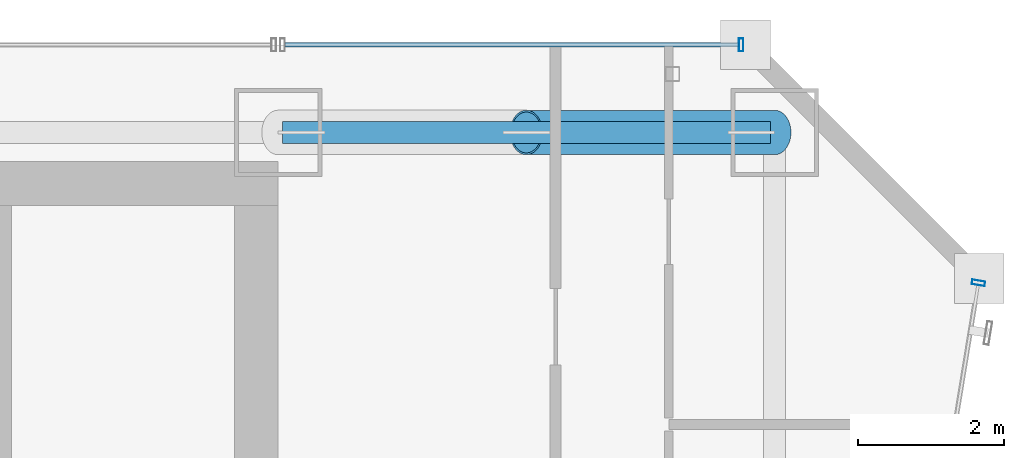
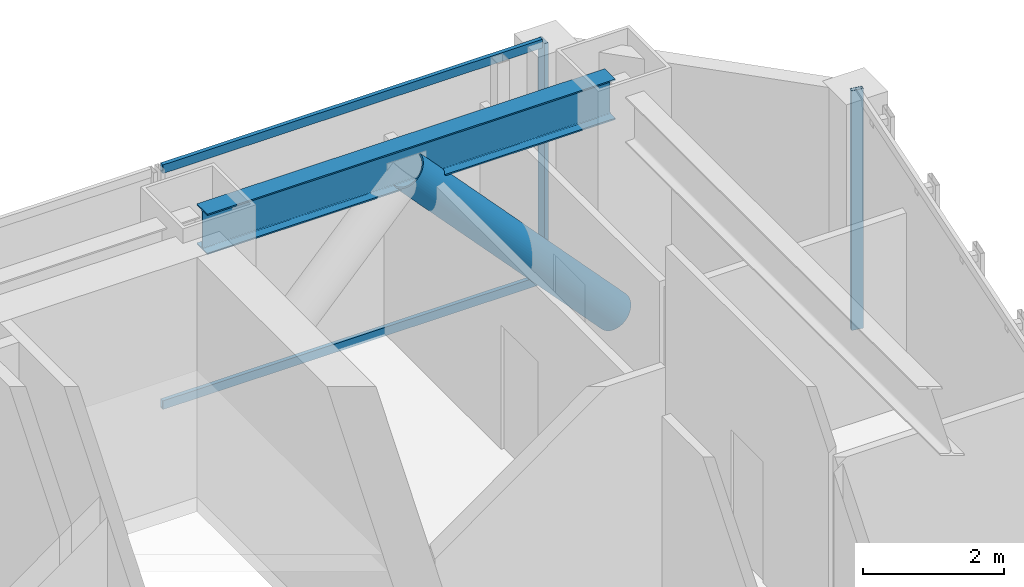
# One storey, part 33 of 47: 5 members, 1 beam, 2 elements without a shape of their own.
"""IFC4 building model written with IfcOpenShell, lengths in metres."""

import ifcopenshell
import ifcopenshell.guid

model = None  # the IFC model being written
_history = None  # IfcOwnerHistory: only IFC2X3 demands one
_inside = {}  # id of a spatial element -> (the spatial element, [elements in it])
_under = {}  # id of a project, library or spatial element -> (it, [spatial elements below it])
_declared = {}  # id of a project -> (the project, [libraries it declares])
_typed = {}  # id of a type object -> (the type object, [elements of that type])
_made_of = {}  # id of a material, layer set ... -> (it, [elements and type objects made of it])


def new_model(schema):
    """Start an empty IFC model of exactly this schema.

    Asked for "IFC4X3", IfcOpenShell would pick the latest addendum, in which some entities
    have other attributes; the version numbers below select the first issue.
    IFC2X3 requires an IfcOwnerHistory on every rooted entity: one is made here for all.
    """
    global model, _history
    if schema == "IFC4X3":
        model = ifcopenshell.file(schema_version=(4, 3, 0, 0))
    else:
        model = ifcopenshell.file(schema=schema)
    _inside.clear()
    _under.clear()
    _declared.clear()
    _typed.clear()
    _made_of.clear()
    _history = None
    if model.schema == "IFC2X3":
        org = make("IfcOrganization", Name="unknown")
        user = make(
            "IfcPersonAndOrganization",
            ThePerson=make("IfcPerson", FamilyName="unknown"),
            TheOrganization=org,
        )
        app = make(
            "IfcApplication",
            ApplicationDeveloper=org,
            Version="unknown",
            ApplicationFullName="unknown",
            ApplicationIdentifier="unknown",
        )
        _history = make(
            "IfcOwnerHistory",
            OwningUser=user,
            OwningApplication=app,
            ChangeAction="ADDED",
            CreationDate=0,
        )
    return model


def make(cls, **values):
    """One entity of the class cls with the attributes given. An attribute that is None is left unset."""
    return model.create_entity(
        cls, **{name: value for name, value in values.items() if value is not None}
    )


def rooted(cls, **values):
    """An entity with a GlobalId (a new one), such as an element, a storey or a relation."""
    return make(cls, GlobalId=ifcopenshell.guid.new(), OwnerHistory=_history, **values)


def si_unit(unit_type, name, prefix=None):
    """IfcSIUnit, for example si_unit("LENGTHUNIT", "METRE", prefix="MILLI")."""
    return make("IfcSIUnit", UnitType=unit_type, Prefix=prefix, Name=name)


def assignment(units):
    """IfcUnitAssignment: the units of a project."""
    return None if units is None else make("IfcUnitAssignment", Units=units)


def point(xyz):
    """IfcCartesianPoint."""
    return None if xyz is None else make("IfcCartesianPoint", Coordinates=xyz)


def direction(xyz):
    """IfcDirection."""
    return None if xyz is None else make("IfcDirection", DirectionRatios=xyz)


def frame(location, z_axis=None, x_axis=None):
    """IfcAxis2Placement3D, a coordinate frame: its origin and axes. An axis left out is left unset."""
    return make(
        "IfcAxis2Placement3D",
        Location=point(location),
        Axis=direction(z_axis),
        RefDirection=direction(x_axis),
    )


def frame_2d(location, x_axis=None):
    """IfcAxis2Placement2D, a coordinate frame in the plane: its origin and x axis."""
    return make(
        "IfcAxis2Placement2D", Location=point(location), RefDirection=direction(x_axis)
    )


def origin():
    """The frame at (0, 0, 0) with its axes left unset."""
    return frame((0.0, 0.0, 0.0))


def origin_2d():
    """The frame at (0, 0) in the plane with its x axis left unset."""
    return frame_2d((0.0, 0.0))


def place(relative_to, where):
    """IfcLocalPlacement: puts the frame where relative to a parent placement (None: the world)."""
    return make(
        "IfcLocalPlacement", PlacementRelTo=relative_to, RelativePlacement=where
    )


def context(
    kind, dimensions, precision=None, world=None, true_north=None, identifier=None
):
    """IfcGeometricRepresentationContext, for example the 3D "Model" context."""
    return make(
        "IfcGeometricRepresentationContext",
        ContextIdentifier=identifier,
        ContextType=kind,
        CoordinateSpaceDimension=dimensions,
        Precision=precision,
        WorldCoordinateSystem=world,
        TrueNorth=true_north,
    )


def subcontext(parent, identifier, kind, view, scale=None):
    """IfcGeometricRepresentationSubContext, for example "Body" below "Model"."""
    return make(
        "IfcGeometricRepresentationSubContext",
        ContextIdentifier=identifier,
        ContextType=kind,
        ParentContext=parent,
        TargetScale=scale,
        TargetView=view,
    )


def project(units=None, contexts=None):
    """IfcProject with its units and contexts."""
    return rooted(
        "IfcProject",
        Name="project",
        RepresentationContexts=contexts,
        UnitsInContext=assignment(units),
    )


def spatial(cls, under=None, at=None, **own):
    """A site, building, storey or space (cls), placed at a placement, below another one or the project."""
    s = rooted(cls, ObjectPlacement=at, **own)
    if under is not None:
        _under.setdefault(under.id(), (under, []))[1].append(s)
    return s


def profile(cls, at=None, kind="AREA", **sizes):
    """A parametric profile (cls). Its sizes go by their IFC names, for example OverallWidth=200.0."""
    return make(cls, ProfileType=kind, Position=at, **sizes)


def hollow_rectangle(**sizes):
    """IfcRectangleHollowProfileDef."""
    return profile("IfcRectangleHollowProfileDef", **sizes)


def hollow_circle(**sizes):
    """IfcCircleHollowProfileDef."""
    return profile("IfcCircleHollowProfileDef", **sizes)


def i_section(**sizes):
    """IfcIShapeProfileDef."""
    return profile("IfcIShapeProfileDef", **sizes)


def extrude(swept, where, along, depth):
    """IfcExtrudedAreaSolid: the profile swept, set in the frame where, extruded along a direction by depth."""
    return make(
        "IfcExtrudedAreaSolid",
        SweptArea=swept,
        Position=where,
        ExtrudedDirection=direction(along),
        Depth=depth,
    )


def shape(context_of_items, identifier, shape_type, items):
    """IfcShapeRepresentation: the items that make up one representation, for example the "Body"."""
    return make(
        "IfcShapeRepresentation",
        ContextOfItems=context_of_items,
        RepresentationIdentifier=identifier,
        RepresentationType=shape_type,
        Items=items,
    )


def material(Name=None, Category=None):
    """IfcMaterial."""
    return make("IfcMaterial", Name=Name, Category=Category)


def material_profile(
    of_material, cross_section, Name=None, Category=None, Priority=None
):
    """IfcMaterialProfile: a cross section and its material."""
    return make(
        "IfcMaterialProfile",
        Name=Name,
        Material=of_material,
        Profile=cross_section,
        Priority=Priority,
        Category=Category,
    )


def profile_set(profiles, Name=None, composite=None):
    """IfcMaterialProfileSet."""
    return make(
        "IfcMaterialProfileSet",
        Name=Name,
        MaterialProfiles=profiles,
        CompositeProfile=composite,
    )


def made_of(thing, what):
    """Note that an element or type object is made of a material, layer set ...; save() writes the relation."""
    if what is not None:
        _made_of.setdefault(what.id(), (what, []))[1].append(thing)
    return thing


def type_object(cls, material=None, **own):
    """A type object (cls), such as IfcWallType, which elements share."""
    return made_of(rooted(cls, **own), material)


def element(
    cls,
    number,
    at=None,
    inside=None,
    cuts=None,
    type_object=None,
    material=None,
    context=None,
    identifier="Body",
    shape_type=None,
    held_by="IfcProductDefinitionShape",
    body=None,
    shapes=None,
    **own,
):
    """One element of the class cls, such as IfcWall. Its Tag is "e" and its number.

    at: its placement. inside: the storey or other place that contains it. cuts: it is an
    opening in that element (IfcRelVoidsElement). A single representation is given by context,
    identifier, shape_type and body (its items); several are given by shapes. held_by: the class
    of the entity that holds the representations. save() writes the other relations.
    """
    e = rooted(cls, Tag="e%d" % number, ObjectPlacement=at, **own)
    if body is not None:
        shapes = [shape(context, identifier, shape_type, body)]
    if shapes is not None:
        e.Representation = make(held_by, Representations=shapes)
    if inside is not None:
        _inside.setdefault(inside.id(), (inside, []))[1].append(e)
    if cuts is not None:
        rooted(
            "IfcRelVoidsElement", RelatingBuildingElement=cuts, RelatedOpeningElement=e
        )
    if type_object is not None:
        _typed.setdefault(type_object.id(), (type_object, []))[1].append(e)
    return made_of(e, material)


def aggregate(whole, parts):
    """IfcRelAggregates: a whole, such as a stair, and the parts it consists of."""
    return rooted("IfcRelAggregates", RelatingObject=whole, RelatedObjects=parts)


def save(model, path):
    """Write the relations noted so far, then the file.

    IfcRelAggregates (storeys below a building ...), IfcRelContainedInSpatialStructure (elements
    in a storey), IfcRelDefinesByType, IfcRelAssociatesMaterial and IfcRelDeclares: one each for
    every whole, place, type object, material and project.
    """
    for whole, parts in _under.values():
        aggregate(whole, parts)
    for where, things in _inside.values():
        rooted(
            "IfcRelContainedInSpatialStructure",
            RelatedElements=things,
            RelatingStructure=where,
        )
    for kind, things in _typed.values():
        rooted("IfcRelDefinesByType", RelatedObjects=things, RelatingType=kind)
    for what, things in _made_of.values():
        rooted("IfcRelAssociatesMaterial", RelatedObjects=things, RelatingMaterial=what)
    for by, libraries in _declared.values():
        rooted("IfcRelDeclares", RelatingContext=by, RelatedDefinitions=libraries)
    model.write(path)


model = new_model("IFC4")

# Units and contexts
model_context = context("Model", 3, precision=1e-05, world=origin(), true_north=direction((0.0, 1.0)))
body_context = subcontext(model_context, "Body", "Model", "MODEL_VIEW")
ifc_project = project(units=[si_unit("LENGTHUNIT", "METRE"), si_unit("AREAUNIT", "SQUARE_METRE"), si_unit("VOLUMEUNIT", "CUBIC_METRE"), si_unit("PLANEANGLEUNIT", "RADIAN"), si_unit("MASSUNIT", "GRAM", prefix="KILO")], contexts=[model_context])

# Site, building, storey
site_placement = place(None, origin())
site = spatial("IfcSite", under=ifc_project, at=site_placement, CompositionType="ELEMENT")
building_placement = place(site_placement, origin())
building = spatial("IfcBuilding", under=site, at=building_placement, Name="Saevonmaru Cultural Tower", CompositionType="ELEMENT")
storey_placement = place(building_placement, frame((0.0, 0.0, 64.800048828125)))
storey = spatial("IfcBuildingStorey", under=building, at=storey_placement, Name="L13", CompositionType="ELEMENT", Elevation=64.800048828125)

# Beam
ifc_material_1 = material(Name="Steel SM355", Category="steel")
ifc_material_profile_1 = material_profile(ifc_material_1, i_section(OverallWidth=0.300048828125, OverallDepth=0.699951171875, WebThickness=0.012939453125, FlangeThickness=0.02392578125, FilletRadius=0.02587890625, at=origin_2d()), Name="H-700x300x13x24")
ifc_profile_set_1 = profile_set([ifc_material_profile_1], Name="Steel SM355")
beam_type = type_object("IfcBeamType", Name="BM-SP-H700", PredefinedType="SPANDREL", material=ifc_profile_set_1)
beam_placement = place(storey_placement, frame((46.4599609375, 54.800048828125, 3.800048828125), z_axis=(1.0, 0.0, 0.0), x_axis=(0.0, 1.0, 0.0)))
element("IfcBeam", 1, at=beam_placement, inside=storey, type_object=beam_type, Name="L13 North Spine Girder 5", PredefinedType="SPANDREL", context=body_context, shape_type="SweptSolid", body=[
    extrude(i_section(OverallWidth=0.300048828125, OverallDepth=0.699951171875, WebThickness=0.012939453125, FlangeThickness=0.02392578125, FilletRadius=0.02587890625, at=origin_2d()), origin(), (0.0, 0.0, 1.0), 6.679931640625),
])

# Member
ifc_material_2 = material(Name="Steel HSA600 (600 MPa)", Category="steel")
ifc_material_profile_2 = material_profile(ifc_material_2, hollow_circle(Radius=0.3046875, WallThickness=0.02490234375, at=origin_2d()), Name="CHS-609.6x25")
ifc_profile_set_2 = profile_set([ifc_material_profile_2], Name="Steel HSA600 (600 MPa)")
member_type_1 = type_object("IfcMemberType", Name="MB-PBR-CHS610", PredefinedType="BRACE", material=ifc_profile_set_2)
member_1_placement = place(storey_placement, frame((53.199951171875, 54.800048828125, 0.02001953125), z_axis=(-0.681602937137, 0.0, 0.73172223971), x_axis=(0.0, -1.0, 0.0)))
element("IfcMember", 2, at=member_1_placement, inside=storey, type_object=member_type_1, Name="L13 Perimeter Braced-Tube Diagonal EN2", PredefinedType="BRACE", context=body_context, shape_type="SweptSolid", body=[
    extrude(hollow_circle(Radius=0.3046875, WallThickness=0.02490234375, at=origin_2d()), origin(), (0.0, 0.0, 1.0), 4.988037109375),
])

# Curtain wall, member
ifc_material_3 = material(Name="Satin Bronze Anodised Aluminium", Category="aluminium")
curtain_wall_type = type_object("IfcCurtainWallType", Name="CW-TYP-A", PredefinedType="NOTDEFINED", material=ifc_material_3)
curtain_wall_1_placement = place(storey_placement, origin())
curtain_wall_1 = element("IfcCurtainWall", 3, at=curtain_wall_1_placement, inside=storey, type_object=curtain_wall_type, Name="L13 Unitised Curtain Wall E8", PredefinedType="NOTDEFINED")
ifc_material_profile_3 = material_profile(ifc_material_3, hollow_rectangle(XDim=0.06494140625, YDim=0.179931640625, WallThickness=0.00390625, at=origin_2d()), Name="ALU-MULL-180x65x4")
ifc_profile_set_3 = profile_set([ifc_material_profile_3], Name="Satin Bronze Anodised Aluminium")
member_type_2 = type_object("IfcMemberType", Name="ML-CW-180x65", PredefinedType="MULLION", material=ifc_profile_set_3)
member_2_placement = place(storey_placement, frame((55.990234375, 52.74072265625, 0.0), z_axis=(0.0, 0.0, 1.0), x_axis=(0.161708868641, 0.986838508472, 0.0)))
member_2 = element("IfcMember", 4, at=member_2_placement, type_object=member_type_2, Name="CW-TW-L13-E8 mullion 5", PredefinedType="MULLION", context=body_context, shape_type="SweptSolid", body=[
    extrude(hollow_rectangle(XDim=0.06494140625, YDim=0.179931640625, WallThickness=0.00390625, at=origin_2d()), origin(), (0.0, 0.0, 1.0), 4.14990234375),
])
aggregate(curtain_wall_1, [member_2])

# Curtain wall, members
curtain_wall_2_placement = place(storey_placement, origin())
curtain_wall_2 = element("IfcCurtainWall", 5, at=curtain_wall_2_placement, inside=storey, type_object=curtain_wall_type, Name="L13 East Braced Bay Spandrel Curtain Wall E10A", PredefinedType="NOTDEFINED")
member_3_placement = place(storey_placement, frame((52.739990234375, 56.0, 0.0), z_axis=(0.0, 0.0, 1.0), x_axis=(-1.0, 0.0, 0.0)))
member_3 = element("IfcMember", 6, at=member_3_placement, type_object=member_type_2, Name="CW-TW-L13-E10A mullion 1", PredefinedType="MULLION", context=body_context, shape_type="SweptSolid", body=[
    extrude(hollow_rectangle(XDim=0.06494140625, YDim=0.179931640625, WallThickness=0.00390625, at=origin_2d()), origin(), (0.0, 0.0, 1.0), 4.14990234375),
])
ifc_material_profile_4 = material_profile(ifc_material_3, hollow_rectangle(XDim=0.06494140625, YDim=0.14990234375, WallThickness=0.00390625, at=origin_2d()), Name="ALU-TRAN-150x65x4")
ifc_profile_set_4 = profile_set([ifc_material_profile_4], Name="Satin Bronze Anodised Aluminium")
member_type_3 = type_object("IfcMemberType", Name="TR-CW-150x65", PredefinedType="USERDEFINED", material=ifc_profile_set_4)
member_4_placement = place(storey_placement, frame((52.70751953125, 56.0, 0.032470703125), z_axis=(-1.0, 0.0, 0.0), x_axis=(0.0, -1.0, 0.0)))
member_4 = element("IfcMember", 7, at=member_4_placement, type_object=member_type_3, Name="CW-TW-L13-E10A transom 1.1", ObjectType="TRANSOM", PredefinedType="USERDEFINED", context=body_context, shape_type="SweptSolid", body=[
    extrude(hollow_rectangle(XDim=0.06494140625, YDim=0.14990234375, WallThickness=0.00390625, at=origin_2d()), origin(), (0.0, 0.0, 1.0), 6.215087890625),
])
member_5_placement = place(storey_placement, frame((52.70751953125, 56.0, 4.117431640625), z_axis=(-1.0, 0.0, 0.0), x_axis=(0.0, -1.0, 0.0)))
member_5 = element("IfcMember", 8, at=member_5_placement, type_object=member_type_3, Name="CW-TW-L13-E10A transom 1.2", ObjectType="TRANSOM", PredefinedType="USERDEFINED", context=body_context, shape_type="SweptSolid", body=[
    extrude(hollow_rectangle(XDim=0.06494140625, YDim=0.14990234375, WallThickness=0.00390625, at=origin_2d()), origin(), (0.0, 0.0, 1.0), 6.215087890625),
])
aggregate(curtain_wall_2, [member_3, member_4, member_5])

save(model, "model.ifc")
